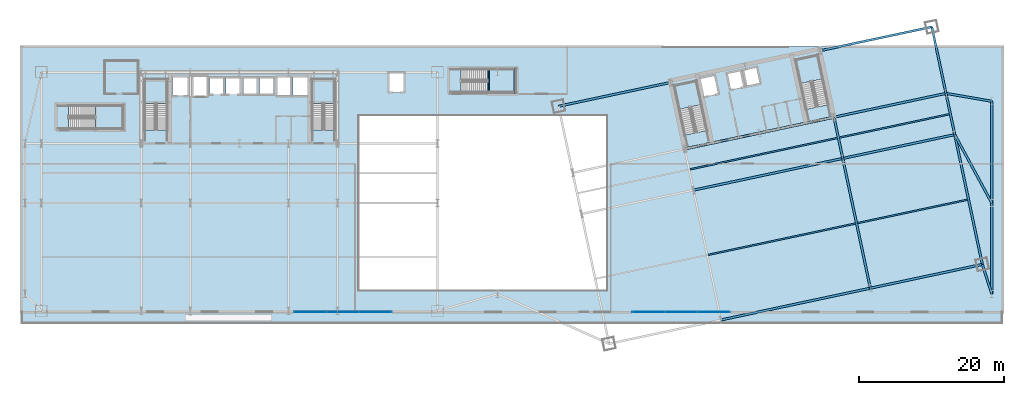
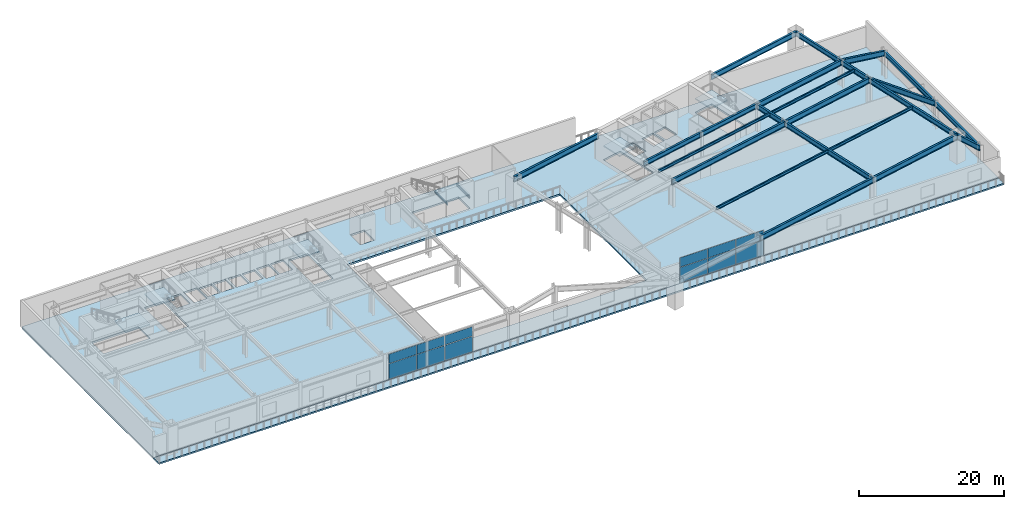
# One storey, part 11 of 28: 25 beams, 12 plates, 8 slabs, 8 elements without a shape of their own.
"""IFC4 building model written with IfcOpenShell, lengths in metres."""

from ifc_helpers import new_model, si_unit, direction, frame, origin, origin_2d, place, context, subcontext, project, spatial, polyline, rectangle, i_section, outline, extrude, material, layer, layer_set, material_profile, profile_set, type_object, element, aggregate, save


model = new_model("IFC4")

# Units and contexts
model_context = context("Model", 3, precision=1e-05, world=origin(), true_north=direction((0.0, 1.0)))
body_context = subcontext(model_context, "Body", "Model", "MODEL_VIEW")
ifc_project = project(units=[si_unit("LENGTHUNIT", "METRE"), si_unit("AREAUNIT", "SQUARE_METRE"), si_unit("VOLUMEUNIT", "CUBIC_METRE"), si_unit("PLANEANGLEUNIT", "RADIAN"), si_unit("MASSUNIT", "GRAM", prefix="KILO")], contexts=[model_context])

# Site, building, storey
site_placement = place(None, origin())
site = spatial("IfcSite", under=ifc_project, at=site_placement, CompositionType="ELEMENT")
building_placement = place(site_placement, origin())
building = spatial("IfcBuilding", under=site, at=building_placement, Name="Haevon Station Towers", CompositionType="ELEMENT")
storey_placement = place(building_placement, frame((0.0, 0.0, 10.800048828125)))
storey = spatial("IfcBuildingStorey", under=building, at=storey_placement, Name="L02", CompositionType="ELEMENT", Elevation=10.800048828125)

# Beams
ifc_material_1 = material(Name="Steel S355", Category="steel")
ifc_material_profile_1 = material_profile(ifc_material_1, i_section(OverallWidth=0.199951171875, OverallDepth=0.449951171875, WebThickness=0.009033203125, FlangeThickness=0.013916015625, at=origin_2d()), Name="H-450x200x9x14")
ifc_profile_set_1 = profile_set([ifc_material_profile_1], Name="Steel S355")
beam_type_1 = type_object("IfcBeamType", Name="BM-J450", PredefinedType="JOIST", material=ifc_profile_set_1)
beam_1_placement = place(storey_placement, frame((101.963134765625, 22.866455078125, 4.27490234375), z_axis=(0.97814804034, 0.207909622623, 0.0), x_axis=(-0.207909622623, 0.97814804034, 0.0)))
element("IfcBeam", 1, at=beam_1_placement, inside=storey, type_object=beam_type_1, Name="BM-T2J-L02-01-02", PredefinedType="JOIST", context=body_context, shape_type="SweptSolid", body=[
    extrude(i_section(OverallWidth=0.199951171875, OverallDepth=0.449951171875, WebThickness=0.009033203125, FlangeThickness=0.013916015625, at=origin_2d()), origin(), (0.0, 0.0, 1.0), 20.77978515625),
])
beam_2_placement = place(storey_placement, frame((122.504150390625, 27.232666015625, 4.27490234375), z_axis=(0.978149141128, 0.207904443699, 0.0), x_axis=(-0.207904443699, 0.978149141128, 0.0)))
element("IfcBeam", 2, at=beam_2_placement, inside=storey, type_object=beam_type_1, Name="BM-T2J-L02-01-03", PredefinedType="JOIST", context=body_context, shape_type="SweptSolid", body=[
    extrude(i_section(OverallWidth=0.199951171875, OverallDepth=0.449951171875, WebThickness=0.009033203125, FlangeThickness=0.013916015625, at=origin_2d()), origin(), (0.0, 0.0, 1.0), 15.530029296875),
])
beam_3_placement = place(storey_placement, frame((99.462890625, 34.628662109375, 4.27490234375), z_axis=(0.978148548197, 0.207907233306, 0.0), x_axis=(-0.207907233306, 0.978148548197, 0.0)))
element("IfcBeam", 3, at=beam_3_placement, inside=storey, type_object=beam_type_1, Name="BM-T2J-L02-02-02", PredefinedType="JOIST", context=body_context, shape_type="SweptSolid", body=[
    extrude(i_section(OverallWidth=0.199951171875, OverallDepth=0.449951171875, WebThickness=0.009033203125, FlangeThickness=0.013916015625, at=origin_2d()), origin(), (0.0, 0.0, 1.0), 20.780029296875),
])
beam_4_placement = place(storey_placement, frame((120.00390625, 38.994873046875, 4.27490234375), z_axis=(0.978149141128, 0.207904443699, 0.0), x_axis=(-0.207904443699, 0.978149141128, 0.0)))
element("IfcBeam", 4, at=beam_4_placement, inside=storey, type_object=beam_type_1, Name="BM-T2J-L02-02-03", PredefinedType="JOIST", context=body_context, shape_type="SweptSolid", body=[
    extrude(i_section(OverallWidth=0.199951171875, OverallDepth=0.449951171875, WebThickness=0.009033203125, FlangeThickness=0.013916015625, at=origin_2d()), origin(), (0.0, 0.0, 1.0), 15.530029296875),
])
ifc_material_profile_2 = material_profile(ifc_material_1, i_section(OverallWidth=0.14990234375, OverallDepth=0.300048828125, WebThickness=0.006591796875, FlangeThickness=0.009033203125, at=origin_2d()), Name="H-300x150x6.5x9")
ifc_profile_set_2 = profile_set([ifc_material_profile_2], Name="Steel S355")
beam_type_2 = type_object("IfcBeamType", Name="BM-LIN300", PredefinedType="LINTEL", material=ifc_profile_set_2)
for number, where, z_axis, x_axis, name in (
    (5, (71.81396484375, 45.0, 2.050048828125), (0.0, 1.0, 0.0), (-1.0, 0.0, 0.0), "BM-ST6L-L02-1-W"),
    (6, (75.320068359375, 45.0, 2.050048828125), (0.0, 1.0, 0.0), (-1.0, 0.0, 0.0), "BM-ST6L-L02-1-E"),
):
    element("IfcBeam", number, at=place(storey_placement, frame(where, z_axis=z_axis, x_axis=x_axis)), inside=storey, type_object=beam_type_2, Name=name, PredefinedType="LINTEL", context=body_context, shape_type="SweptSolid", body=[
        extrude(i_section(OverallWidth=0.14990234375, OverallDepth=0.300048828125, WebThickness=0.006591796875, FlangeThickness=0.009033203125, at=origin_2d()), origin(), (0.0, 0.0, 1.0), 3.60009765625),
    ])
ifc_material_profile_3 = material_profile(ifc_material_1, i_section(OverallWidth=0.300048828125, OverallDepth=0.800048828125, WebThickness=0.013916015625, FlangeThickness=0.02587890625, at=origin_2d()), Name="H-800x300x14x26")
ifc_profile_set_3 = profile_set([ifc_material_profile_3], Name="Steel S355")
beam_type_3 = type_object("IfcBeamType", Name="BM-PG800", PredefinedType="BEAM", material=ifc_profile_set_3)
for number, where, z_axis, x_axis, name in (
    (7, (98.75244140625, 37.4423828125, 4.099853515625), (0.978146794194, 0.207915485254, 0.0), (-0.207915485254, 0.978146794194, 0.0), "BM-T2U-L02-03-02"),
    (8, (109.02294921875, 39.62548828125, 4.099853515625), (0.978146794194, 0.207915485254, 0.0), (-0.207915485254, 0.978146794194, 0.0), "BM-T2U-L02-03-03"),
):
    element("IfcBeam", number, at=place(storey_placement, frame(where, z_axis=z_axis, x_axis=x_axis)), inside=storey, type_object=beam_type_3, Name=name, PredefinedType="BEAM", context=body_context, shape_type="SweptSolid", body=[
        extrude(i_section(OverallWidth=0.300048828125, OverallDepth=0.800048828125, WebThickness=0.013916015625, FlangeThickness=0.02587890625, at=origin_2d()), origin(), (0.0, 0.0, 1.0), 10.5),
    ])
beam_5_placement = place(storey_placement, frame((124.293701171875, 18.2841796875, 4.099853515625), z_axis=(-0.207915393978, 0.978146813595, 0.0), x_axis=(-0.978146813595, -0.207915393978, 0.0)))
element("IfcBeam", 9, at=beam_5_placement, inside=storey, type_object=beam_type_3, Name="BM-T2V-L02-04-01", PredefinedType="BEAM", context=body_context, shape_type="SweptSolid", body=[
    extrude(i_section(OverallWidth=0.300048828125, OverallDepth=0.800048828125, WebThickness=0.013916015625, FlangeThickness=0.02587890625, at=origin_2d()), origin(), (0.0, 0.0, 1.0), 18.25),
])
beam_6_placement = place(storey_placement, frame((120.499267578125, 36.13525390625, 4.099853515625), z_axis=(-0.207896009217, 0.97815093383, 0.0), x_axis=(-0.97815093383, -0.207896009217, 0.0)))
element("IfcBeam", 10, at=beam_6_placement, inside=storey, type_object=beam_type_3, Name="BM-T2V-L02-04-02", PredefinedType="BEAM", context=body_context, shape_type="SweptSolid", body=[
    extrude(i_section(OverallWidth=0.300048828125, OverallDepth=0.800048828125, WebThickness=0.013916015625, FlangeThickness=0.02587890625, at=origin_2d()), origin(), (0.0, 0.0, 1.0), 5.800048828125),
])
beam_7_placement = place(storey_placement, frame((139.699462890625, 21.558837890625, 4.099853515625), z_axis=(-0.207902594577, 0.978149534155, 0.0), x_axis=(-0.978149534155, -0.207902594577, 0.0)))
element("IfcBeam", 11, at=beam_7_placement, inside=storey, type_object=beam_type_3, Name="BM-T2V-L02-05-01", PredefinedType="BEAM", context=body_context, shape_type="SweptSolid", body=[
    extrude(i_section(OverallWidth=0.300048828125, OverallDepth=0.800048828125, WebThickness=0.013916015625, FlangeThickness=0.02587890625, at=origin_2d()), origin(), (0.0, 0.0, 1.0), 18.249755859375),
])
beam_8_placement = place(storey_placement, frame((135.9052734375, 39.409912109375, 4.099853515625), z_axis=(-0.207936282142, 0.978142373363, 0.0), x_axis=(-0.978142373363, -0.207936282142, 0.0)))
element("IfcBeam", 12, at=beam_8_placement, inside=storey, type_object=beam_type_3, Name="BM-T2V-L02-05-02", PredefinedType="BEAM", context=body_context, shape_type="SweptSolid", body=[
    extrude(i_section(OverallWidth=0.300048828125, OverallDepth=0.800048828125, WebThickness=0.013916015625, FlangeThickness=0.02587890625, at=origin_2d()), origin(), (0.0, 0.0, 1.0), 5.800048828125),
])
beam_9_placement = place(storey_placement, frame((134.69921875, 45.083251953125, 4.099853515625), z_axis=(-0.207902477038, 0.978149559138, 0.0), x_axis=(-0.978149559138, -0.207902477038, 0.0)))
element("IfcBeam", 13, at=beam_9_placement, inside=storey, type_object=beam_type_3, Name="BM-T2V-L02-05-03", PredefinedType="BEAM", context=body_context, shape_type="SweptSolid", body=[
    extrude(i_section(OverallWidth=0.300048828125, OverallDepth=0.800048828125, WebThickness=0.013916015625, FlangeThickness=0.02587890625, at=origin_2d()), origin(), (0.0, 0.0, 1.0), 9.349853515625),
])
beam_10_placement = place(storey_placement, frame((141.0, 17.5, 4.099853515625), z_axis=(0.0, 1.0, 0.0), x_axis=(-1.0, 0.0, 0.0)))
element("IfcBeam", 14, at=beam_10_placement, inside=storey, type_object=beam_type_3, Name="BM-PODNS-L02-E1", PredefinedType="BEAM", context=body_context, shape_type="SweptSolid", body=[
    extrude(i_section(OverallWidth=0.300048828125, OverallDepth=0.800048828125, WebThickness=0.013916015625, FlangeThickness=0.02587890625, at=origin_2d()), origin(), (0.0, 0.0, 1.0), 12.5),
])
beam_11_placement = place(storey_placement, frame((141.0, 30.0, 4.099853515625), z_axis=(0.0, 1.0, 0.0), x_axis=(-1.0, 0.0, 0.0)))
element("IfcBeam", 15, at=beam_11_placement, inside=storey, type_object=beam_type_3, Name="BM-PODNS-L02-E2", PredefinedType="BEAM", context=body_context, shape_type="SweptSolid", body=[
    extrude(i_section(OverallWidth=0.300048828125, OverallDepth=0.800048828125, WebThickness=0.013916015625, FlangeThickness=0.02587890625, at=origin_2d()), origin(), (0.0, 0.0, 1.0), 14.0),
])
ifc_material_profile_4 = material_profile(ifc_material_1, i_section(OverallWidth=0.300048828125, OverallDepth=0.89990234375, WebThickness=0.01611328125, FlangeThickness=0.028076171875, at=origin_2d()), Name="H-900x300x16x28")
ifc_profile_set_4 = profile_set([ifc_material_profile_4], Name="Steel S355")
beam_type_4 = type_object("IfcBeamType", Name="BM-PG900", PredefinedType="BEAM", material=ifc_profile_set_4)
beam_12_placement = place(storey_placement, frame((103.752685546875, 13.91796875, 4.050048828125), z_axis=(0.978146794194, 0.207915485254, 0.0), x_axis=(-0.207915485254, 0.978146794194, 0.0)))
element("IfcBeam", 16, at=beam_12_placement, inside=storey, type_object=beam_type_4, Name="BM-T2U-L02-01-02", PredefinedType="BEAM", context=body_context, shape_type="SweptSolid", body=[
    extrude(i_section(OverallWidth=0.300048828125, OverallDepth=0.89990234375, WebThickness=0.01611328125, FlangeThickness=0.028076171875, at=origin_2d()), origin(), (0.0, 0.0, 1.0), 21.0),
])
beam_13_placement = place(storey_placement, frame((124.293701171875, 18.2841796875, 4.050048828125), z_axis=(0.978146794194, 0.207915485254, 0.0), x_axis=(-0.207915485254, 0.978146794194, 0.0)))
element("IfcBeam", 17, at=beam_13_placement, inside=storey, type_object=beam_type_4, Name="BM-T2U-L02-01-04", PredefinedType="BEAM", context=body_context, shape_type="SweptSolid", body=[
    extrude(i_section(OverallWidth=0.300048828125, OverallDepth=0.89990234375, WebThickness=0.01611328125, FlangeThickness=0.028076171875, at=origin_2d()), origin(), (0.0, 0.0, 1.0), 15.75),
])
beam_14_placement = place(storey_placement, frame((99.958251953125, 31.76904296875, 4.050048828125), z_axis=(0.978146794194, 0.207915485254, 0.0), x_axis=(-0.207915485254, 0.978146794194, 0.0)))
element("IfcBeam", 18, at=beam_14_placement, inside=storey, type_object=beam_type_4, Name="BM-T2U-L02-02-02", PredefinedType="BEAM", context=body_context, shape_type="SweptSolid", body=[
    extrude(i_section(OverallWidth=0.300048828125, OverallDepth=0.89990234375, WebThickness=0.01611328125, FlangeThickness=0.028076171875, at=origin_2d()), origin(), (0.0, 0.0, 1.0), 21.0),
])
beam_15_placement = place(storey_placement, frame((120.499267578125, 36.13525390625, 4.050048828125), z_axis=(0.978147464271, 0.207912332825, 0.0), x_axis=(-0.207912332825, 0.978147464271, 0.0)))
element("IfcBeam", 19, at=beam_15_placement, inside=storey, type_object=beam_type_4, Name="BM-T2U-L02-02-04", PredefinedType="BEAM", context=body_context, shape_type="SweptSolid", body=[
    extrude(i_section(OverallWidth=0.300048828125, OverallDepth=0.89990234375, WebThickness=0.01611328125, FlangeThickness=0.028076171875, at=origin_2d()), origin(), (0.0, 0.0, 1.0), 15.750244140625),
])
for number, where, z_axis, x_axis, name in (
    (20, (119.29345703125, 41.80859375, 4.050048828125), (0.978146794194, 0.207915485254, 0.0), (-0.207915485254, 0.978146794194, 0.0), "BM-T2U-L02-03-04"),
    (21, (81.402587890625, 43.3134765625, 4.050048828125), (0.978146794194, 0.207915485254, 0.0), (-0.207915485254, 0.978146794194, 0.0), "BM-T2U-L02-04-01"),
):
    element("IfcBeam", number, at=place(storey_placement, frame(where, z_axis=z_axis, x_axis=x_axis)), inside=storey, type_object=beam_type_4, Name=name, PredefinedType="BEAM", context=body_context, shape_type="SweptSolid", body=[
        extrude(i_section(OverallWidth=0.300048828125, OverallDepth=0.89990234375, WebThickness=0.01611328125, FlangeThickness=0.028076171875, at=origin_2d()), origin(), (0.0, 0.0, 1.0), 15.75),
    ])
beam_16_placement = place(storey_placement, frame((117.349365234375, 50.954345703125, 4.050048828125), z_axis=(0.978150616551, 0.207897502008, 0.0), x_axis=(-0.207897502008, 0.978150616551, 0.0)))
element("IfcBeam", 22, at=beam_16_placement, inside=storey, type_object=beam_type_4, Name="BM-T2U-L02-04-04", PredefinedType="BEAM", context=body_context, shape_type="SweptSolid", body=[
    extrude(i_section(OverallWidth=0.300048828125, OverallDepth=0.89990234375, WebThickness=0.01611328125, FlangeThickness=0.028076171875, at=origin_2d()), origin(), (0.0, 0.0, 1.0), 15.750244140625),
])
beam_17_placement = place(storey_placement, frame((139.699462890625, 21.558837890625, 4.050048828125), z_axis=(0.305139430983, -0.952307685393, 0.0), x_axis=(0.952307685393, 0.305139430983, 0.0)))
element("IfcBeam", 23, at=beam_17_placement, inside=storey, type_object=beam_type_4, Name="BM-PODE-L02-1", PredefinedType="BEAM", context=body_context, shape_type="SweptSolid", body=[
    extrude(i_section(OverallWidth=0.300048828125, OverallDepth=0.89990234375, WebThickness=0.01611328125, FlangeThickness=0.028076171875, at=origin_2d()), origin(), (0.0, 0.0, 1.0), 4.26220703125),
])
beam_18_placement = place(storey_placement, frame((135.9052734375, 39.409912109375, 4.050048828125), z_axis=(0.476116295025, -0.879382325051, 0.0), x_axis=(0.879382325051, 0.476116295025, 0.0)))
element("IfcBeam", 24, at=beam_18_placement, inside=storey, type_object=beam_type_4, Name="BM-PODE-L02-2", PredefinedType="BEAM", context=body_context, shape_type="SweptSolid", body=[
    extrude(i_section(OverallWidth=0.300048828125, OverallDepth=0.89990234375, WebThickness=0.01611328125, FlangeThickness=0.028076171875, at=origin_2d()), origin(), (0.0, 0.0, 1.0), 10.70068359375),
])
beam_19_placement = place(storey_placement, frame((134.69921875, 45.083251953125, 4.050048828125), z_axis=(0.985540920751, -0.169437580028, 0.0), x_axis=(0.169437580028, 0.985540920751, 0.0)))
element("IfcBeam", 25, at=beam_19_placement, inside=storey, type_object=beam_type_4, Name="BM-PODE-L02-3", PredefinedType="BEAM", context=body_context, shape_type="SweptSolid", body=[
    extrude(i_section(OverallWidth=0.300048828125, OverallDepth=0.89990234375, WebThickness=0.01611328125, FlangeThickness=0.028076171875, at=origin_2d()), origin(), (0.0, 0.0, 1.0), 6.393310546875),
])

# Curtain wall, plates
ifc_material_2 = material(Name="Anodised aluminium and Low-E double glazing", Category="aluminium")
ifc_layer_1 = layer(ifc_material_2, 0.179931640625)
ifc_layer_set_1 = layer_set([ifc_layer_1], Name="Anodised aluminium and Low-E double glazing")
curtain_wall_type = type_object("IfcCurtainWallType", Name="CW-SYS1", PredefinedType="NOTDEFINED", material=ifc_layer_set_1)
curtain_wall_1_placement = place(storey_placement, origin())
curtain_wall_1 = element("IfcCurtainWall", 26, at=curtain_wall_1_placement, inside=storey, type_object=curtain_wall_type, Name="L02 Curtain Wall CW-POD-L02-S1", PredefinedType="NOTDEFINED")
ifc_material_3 = material(Name="Low-E double glazing", Category="glass")
ifc_layer_2 = layer(ifc_material_3, 0.028076171875)
ifc_layer_set_2 = layer_set([ifc_layer_2], Name="Low-E double glazing")
plate_type = type_object("IfcPlateType", Name="CWP-GLZ28", PredefinedType="CURTAIN_PANEL", material=ifc_layer_set_2)
plate_1_placement = place(storey_placement, frame((102.733642578125, 15.0, 0.06494140625), z_axis=(0.0, 0.0, 1.0), x_axis=(-1.0, 0.0, 0.0)))
plate_1 = element("IfcPlate", 27, at=plate_1_placement, type_object=plate_type, Name="CW-SYS1 panel 1.1", PredefinedType="CURTAIN_PANEL", context=body_context, shape_type="SweptSolid", body=[
    extrude(rectangle(XDim=4.402587890625, YDim=0.028076171875, at=origin_2d()), origin(), (0.0, 0.0, 1.0), 2.630615234375),
])
plate_2_placement = place(storey_placement, frame((102.733642578125, 15.0, 2.76025390625), z_axis=(0.0, 0.0, 1.0), x_axis=(-1.0, 0.0, 0.0)))
plate_2 = element("IfcPlate", 28, at=plate_2_placement, type_object=plate_type, Name="CW-SYS1 panel 1.2", PredefinedType="CURTAIN_PANEL", context=body_context, shape_type="SweptSolid", body=[
    extrude(rectangle(XDim=4.402587890625, YDim=0.028076171875, at=origin_2d()), origin(), (0.0, 0.0, 1.0), 1.574462890625),
])
plate_3_placement = place(storey_placement, frame((98.25, 15.0, 0.06494140625), z_axis=(0.0, 0.0, 1.0), x_axis=(-1.0, 0.0, 0.0)))
plate_3 = element("IfcPlate", 29, at=plate_3_placement, type_object=plate_type, Name="CW-SYS1 panel 2.1", PredefinedType="CURTAIN_PANEL", context=body_context, shape_type="SweptSolid", body=[
    extrude(rectangle(XDim=4.43505859375, YDim=0.028076171875, at=origin_2d()), origin(), (0.0, 0.0, 1.0), 2.630615234375),
])
plate_4_placement = place(storey_placement, frame((98.25, 15.0, 2.76025390625), z_axis=(0.0, 0.0, 1.0), x_axis=(-1.0, 0.0, 0.0)))
plate_4 = element("IfcPlate", 30, at=plate_4_placement, type_object=plate_type, Name="CW-SYS1 panel 2.2", PredefinedType="CURTAIN_PANEL", context=body_context, shape_type="SweptSolid", body=[
    extrude(rectangle(XDim=4.43505859375, YDim=0.028076171875, at=origin_2d()), origin(), (0.0, 0.0, 1.0), 1.574462890625),
])
plate_5_placement = place(storey_placement, frame((93.766357421875, 15.0, 0.06494140625), z_axis=(0.0, 0.0, 1.0), x_axis=(-1.0, 0.0, 0.0)))
plate_5 = element("IfcPlate", 31, at=plate_5_placement, type_object=plate_type, Name="CW-SYS1 panel 3.1", PredefinedType="CURTAIN_PANEL", context=body_context, shape_type="SweptSolid", body=[
    extrude(rectangle(XDim=4.402587890625, YDim=0.028076171875, at=origin_2d()), origin(), (0.0, 0.0, 1.0), 2.630615234375),
])
plate_6_placement = place(storey_placement, frame((93.766357421875, 15.0, 2.76025390625), z_axis=(0.0, 0.0, 1.0), x_axis=(-1.0, 0.0, 0.0)))
plate_6 = element("IfcPlate", 32, at=plate_6_placement, type_object=plate_type, Name="CW-SYS1 panel 3.2", PredefinedType="CURTAIN_PANEL", context=body_context, shape_type="SweptSolid", body=[
    extrude(rectangle(XDim=4.402587890625, YDim=0.028076171875, at=origin_2d()), origin(), (0.0, 0.0, 1.0), 1.574462890625),
])
aggregate(curtain_wall_1, [plate_1, plate_2, plate_3, plate_4, plate_5, plate_6])

curtain_wall_2_placement = place(storey_placement, origin())
curtain_wall_2 = element("IfcCurtainWall", 33, at=curtain_wall_2_placement, inside=storey, type_object=curtain_wall_type, Name="L02 Curtain Wall CW-POD-L02-S2", PredefinedType="NOTDEFINED")
plate_7_placement = place(storey_placement, frame((56.233642578125, 15.0, 0.06494140625), z_axis=(0.0, 0.0, 1.0), x_axis=(-1.0, 0.0, 0.0)))
plate_7 = element("IfcPlate", 34, at=plate_7_placement, type_object=plate_type, Name="CW-SYS1 panel 1.1", PredefinedType="CURTAIN_PANEL", context=body_context, shape_type="SweptSolid", body=[
    extrude(rectangle(XDim=4.402587890625, YDim=0.028076171875, at=origin_2d()), origin(), (0.0, 0.0, 1.0), 2.630615234375),
])
plate_8_placement = place(storey_placement, frame((56.233642578125, 15.0, 2.76025390625), z_axis=(0.0, 0.0, 1.0), x_axis=(-1.0, 0.0, 0.0)))
plate_8 = element("IfcPlate", 35, at=plate_8_placement, type_object=plate_type, Name="CW-SYS1 panel 1.2", PredefinedType="CURTAIN_PANEL", context=body_context, shape_type="SweptSolid", body=[
    extrude(rectangle(XDim=4.402587890625, YDim=0.028076171875, at=origin_2d()), origin(), (0.0, 0.0, 1.0), 1.574462890625),
])
plate_9_placement = place(storey_placement, frame((51.75, 15.0, 0.06494140625), z_axis=(0.0, 0.0, 1.0), x_axis=(-1.0, 0.0, 0.0)))
plate_9 = element("IfcPlate", 36, at=plate_9_placement, type_object=plate_type, Name="CW-SYS1 panel 2.1", PredefinedType="CURTAIN_PANEL", context=body_context, shape_type="SweptSolid", body=[
    extrude(rectangle(XDim=4.43505859375, YDim=0.028076171875, at=origin_2d()), origin(), (0.0, 0.0, 1.0), 2.630615234375),
])
plate_10_placement = place(storey_placement, frame((51.75, 15.0, 2.76025390625), z_axis=(0.0, 0.0, 1.0), x_axis=(-1.0, 0.0, 0.0)))
plate_10 = element("IfcPlate", 37, at=plate_10_placement, type_object=plate_type, Name="CW-SYS1 panel 2.2", PredefinedType="CURTAIN_PANEL", context=body_context, shape_type="SweptSolid", body=[
    extrude(rectangle(XDim=4.43505859375, YDim=0.028076171875, at=origin_2d()), origin(), (0.0, 0.0, 1.0), 1.574462890625),
])
plate_11_placement = place(storey_placement, frame((47.266357421875, 15.0, 0.06494140625), z_axis=(0.0, 0.0, 1.0), x_axis=(-1.0, 0.0, 0.0)))
plate_11 = element("IfcPlate", 38, at=plate_11_placement, type_object=plate_type, Name="CW-SYS1 panel 3.1", PredefinedType="CURTAIN_PANEL", context=body_context, shape_type="SweptSolid", body=[
    extrude(rectangle(XDim=4.402587890625, YDim=0.028076171875, at=origin_2d()), origin(), (0.0, 0.0, 1.0), 2.630615234375),
])
plate_12_placement = place(storey_placement, frame((47.266357421875, 15.0, 2.76025390625), z_axis=(0.0, 0.0, 1.0), x_axis=(-1.0, 0.0, 0.0)))
plate_12 = element("IfcPlate", 39, at=plate_12_placement, type_object=plate_type, Name="CW-SYS1 panel 3.2", PredefinedType="CURTAIN_PANEL", context=body_context, shape_type="SweptSolid", body=[
    extrude(rectangle(XDim=4.402587890625, YDim=0.028076171875, at=origin_2d()), origin(), (0.0, 0.0, 1.0), 1.574462890625),
])
aggregate(curtain_wall_2, [plate_7, plate_8, plate_9, plate_10, plate_11, plate_12])

# Stair, slab
ifc_material_4 = material(Name="Concrete C40/50", Category="concrete")
stair_type_1 = type_object("IfcStairType", Name="STR-DL1450", PredefinedType="USERDEFINED", material=ifc_material_4)
stair_1_placement = place(storey_placement, origin())
stair_1 = element("IfcStair", 40, at=stair_1_placement, inside=storey, type_object=stair_type_1, Name="L02 Escape Stair ST1", ObjectType="TWO_RETURN_STAIR", PredefinedType="USERDEFINED")
ifc_layer_3 = layer(ifc_material_4, 0.199951171875)
ifc_layer_set_3 = layer_set([ifc_layer_3], Name="Concrete C40/50")
slab_type_1 = type_object("IfcSlabType", Name="SL-LND200", PredefinedType="LANDING", material=ifc_layer_set_3)
slab_1_placement = place(storey_placement, frame((0.0, 0.0, 2.199951171875)))
slab_1 = element("IfcSlab", 41, at=slab_1_placement, type_object=slab_type_1, Name="L02 ST1 Half Landing 1", PredefinedType="LANDING", context=body_context, shape_type="SweptSolid", body=[
    extrude(outline(polyline([(27.580078125, 43.68408203125), (27.580078125, 47.0), (24.47998046875, 47.0), (24.47998046875, 43.68408203125), (27.580078125, 43.68408203125)])), origin(), (0.0, 0.0, 1.0), 0.199951171875),
])
aggregate(stair_1, [slab_1])

stair_2_placement = place(storey_placement, origin())
stair_2 = element("IfcStair", 42, at=stair_2_placement, inside=storey, type_object=stair_type_1, Name="L02 Escape Stair ST2", ObjectType="TWO_RETURN_STAIR", PredefinedType="USERDEFINED")
slab_2_placement = place(storey_placement, frame((0.0, 0.0, 2.199951171875)))
slab_2 = element("IfcSlab", 43, at=slab_2_placement, type_object=slab_type_1, Name="L02 ST2 Half Landing 1", PredefinedType="LANDING", context=body_context, shape_type="SweptSolid", body=[
    extrude(outline(polyline([(50.6201171875, 43.68408203125), (50.6201171875, 47.0), (47.52001953125, 47.0), (47.52001953125, 43.68408203125), (50.6201171875, 43.68408203125)])), origin(), (0.0, 0.0, 1.0), 0.199951171875),
])
aggregate(stair_2, [slab_2])

stair_3_placement = place(storey_placement, origin())
stair_3 = element("IfcStair", 44, at=stair_3_placement, inside=storey, type_object=stair_type_1, Name="L02 Escape Stair ST3", ObjectType="TWO_RETURN_STAIR", PredefinedType="USERDEFINED")
slab_3_placement = place(storey_placement, frame((0.0, 0.0, 2.199951171875)))
slab_3 = element("IfcSlab", 45, at=slab_3_placement, type_object=slab_type_1, Name="L02 ST3 Half Landing 1", PredefinedType="LANDING", context=body_context, shape_type="SweptSolid", body=[
    extrude(outline(polyline([(101.05517578125, 43.538330078125), (100.36572265625, 46.781982421875), (97.33349609375, 46.137451171875), (98.02294921875, 42.893798828125), (101.05517578125, 43.538330078125)])), origin(), (0.0, 0.0, 1.0), 0.199951171875),
])
aggregate(stair_3, [slab_3])

stair_4_placement = place(storey_placement, origin())
stair_4 = element("IfcStair", 46, at=stair_4_placement, inside=storey, type_object=stair_type_1, Name="L02 Escape Stair ST4", ObjectType="TWO_RETURN_STAIR", PredefinedType="USERDEFINED")
slab_4_placement = place(storey_placement, frame((0.0, 0.0, 2.199951171875)))
slab_4 = element("IfcSlab", 47, at=slab_4_placement, type_object=slab_type_1, Name="L02 ST4 Half Landing 1", PredefinedType="LANDING", context=body_context, shape_type="SweptSolid", body=[
    extrude(outline(polyline([(117.742431640625, 47.08544921875), (117.052978515625, 50.328857421875), (114.020751953125, 49.684326171875), (114.710205078125, 46.44091796875), (117.742431640625, 47.08544921875)])), origin(), (0.0, 0.0, 1.0), 0.199951171875),
])
aggregate(stair_4, [slab_4])

stair_type_2 = type_object("IfcStairType", Name="STR-DL1500", PredefinedType="USERDEFINED", material=ifc_material_4)
stair_5_placement = place(storey_placement, origin())
stair_5 = element("IfcStair", 48, at=stair_5_placement, inside=storey, type_object=stair_type_2, Name="L02 Escape Stair ST5", ObjectType="TWO_RETURN_STAIR", PredefinedType="USERDEFINED")
slab_5_placement = place(storey_placement, frame((0.0, 0.0, 2.199951171875)))
slab_5 = element("IfcSlab", 49, at=slab_5_placement, type_object=slab_type_1, Name="L02 ST5 Half Landing 1", PredefinedType="LANDING", context=body_context, shape_type="SweptSolid", body=[
    extrude(outline(polyline([(17.634033203125, 40.199951171875), (21.5, 40.199951171875), (21.5, 43.39990234375), (17.634033203125, 43.39990234375), (17.634033203125, 40.199951171875)])), origin(), (0.0, 0.0, 1.0), 0.199951171875),
])
aggregate(stair_5, [slab_5])

stair_6_placement = place(storey_placement, origin())
stair_6 = element("IfcStair", 50, at=stair_6_placement, inside=storey, type_object=stair_type_2, Name="L02 Escape Stair ST6", ObjectType="TWO_RETURN_STAIR", PredefinedType="USERDEFINED")
slab_6_placement = place(storey_placement, frame((0.0, 0.0, 2.199951171875)))
slab_6 = element("IfcSlab", 51, at=slab_6_placement, type_object=slab_type_1, Name="L02 ST6 Half Landing 1", PredefinedType="LANDING", context=body_context, shape_type="SweptSolid", body=[
    extrude(outline(polyline([(71.634033203125, 45.199951171875), (75.5, 45.199951171875), (75.5, 48.39990234375), (71.634033203125, 48.39990234375), (71.634033203125, 45.199951171875)])), origin(), (0.0, 0.0, 1.0), 0.199951171875),
])
aggregate(stair_6, [slab_6])

# Slabs
ifc_layer_4 = layer(ifc_material_4, 0.300048828125)
ifc_layer_set_4 = layer_set([ifc_layer_4], Name="Concrete C40/50")
slab_type_2 = type_object("IfcSlabType", Name="SL-POD300", PredefinedType="FLOOR", material=ifc_layer_set_4)
slab_7_placement = place(storey_placement, frame((0.0, 0.0, -0.300048828125)))
element("IfcSlab", 52, at=slab_7_placement, inside=storey, type_object=slab_type_2, Name="SL-POD-L02", PredefinedType="FLOOR", context=body_context, shape_type="SweptSolid", body=[
    extrude(outline(polyline([(7.5, 15.0), (142.5, 15.0), (142.5, 51.5), (7.5, 51.5), (7.5, 15.0)]), holes=[polyline([(54.0, 18.0), (88.0, 18.0), (88.0, 42.0), (54.0, 42.0), (54.0, 18.0)]), polyline([(27.580078125, 40.055908203125), (27.580078125, 47.0), (24.47998046875, 47.0), (24.47998046875, 40.055908203125), (27.580078125, 40.055908203125)]), polyline([(50.6201171875, 40.055908203125), (50.6201171875, 47.0), (47.52001953125, 47.0), (47.52001953125, 40.055908203125), (50.6201171875, 40.055908203125)]), polyline([(101.8095703125, 39.98974609375), (100.36572265625, 46.781982421875), (97.33349609375, 46.137451171875), (98.77734375, 39.34521484375), (101.8095703125, 39.98974609375)]), polyline([(118.496826171875, 43.53662109375), (117.052978515625, 50.328857421875), (114.020751953125, 49.684326171875), (115.464599609375, 42.89208984375), (118.496826171875, 43.53662109375)]), polyline([(14.006103515625, 40.199951171875), (21.5, 40.199951171875), (21.5, 43.39990234375), (14.006103515625, 43.39990234375), (14.006103515625, 40.199951171875)]), polyline([(68.006103515625, 45.199951171875), (75.5, 45.199951171875), (75.5, 48.39990234375), (68.006103515625, 48.39990234375), (68.006103515625, 45.199951171875)]), polyline([(28.300048828125, 44.699951171875), (30.5, 44.699951171875), (30.5, 47.39990234375), (28.300048828125, 47.39990234375), (28.300048828125, 44.699951171875)]), polyline([(101.43212890625, 44.554931640625), (103.486328125, 44.99169921875), (102.9248046875, 47.632568359375), (100.870849609375, 47.196044921875), (101.43212890625, 44.554931640625)]), polyline([(31.050048828125, 44.60009765625), (33.14990234375, 44.60009765625), (33.14990234375, 47.5), (31.050048828125, 47.5), (31.050048828125, 44.60009765625)]), polyline([(33.39990234375, 44.89990234375), (35.39990234375, 44.89990234375), (35.39990234375, 47.300048828125), (33.39990234375, 47.300048828125), (33.39990234375, 44.89990234375)]), polyline([(35.64990234375, 44.89990234375), (37.64990234375, 44.89990234375), (37.64990234375, 47.300048828125), (35.64990234375, 47.300048828125), (35.64990234375, 44.89990234375)]), polyline([(38.0, 44.89990234375), (40.0, 44.89990234375), (40.0, 47.300048828125), (38.0, 47.300048828125), (38.0, 44.89990234375)]), polyline([(40.25, 44.89990234375), (42.25, 44.89990234375), (42.25, 47.300048828125), (40.25, 47.300048828125), (40.25, 44.89990234375)]), polyline([(42.60009765625, 44.699951171875), (44.60009765625, 44.699951171875), (44.60009765625, 47.39990234375), (42.60009765625, 47.39990234375), (42.60009765625, 44.699951171875)]), polyline([(44.85009765625, 44.699951171875), (46.85009765625, 44.699951171875), (46.85009765625, 47.39990234375), (44.85009765625, 47.39990234375), (44.85009765625, 44.699951171875)]), polyline([(105.009765625, 45.519775390625), (106.966064453125, 45.935791015625), (106.467041015625, 48.283203125), (104.5107421875, 47.867431640625), (105.009765625, 45.519775390625)]), polyline([(107.259521484375, 45.998046875), (109.2158203125, 46.413818359375), (108.716796875, 48.761474609375), (106.760498046875, 48.345703125), (107.259521484375, 45.998046875)]), polyline([(58.0, 45.199951171875), (60.199951171875, 45.199951171875), (60.199951171875, 48.0), (58.0, 48.0), (58.0, 45.199951171875)])]), origin(), (0.0, 0.0, 1.0), 0.300048828125),
])
ifc_layer_5 = layer(ifc_material_4, 0.25)
ifc_layer_set_5 = layer_set([ifc_layer_5], Name="Concrete C40/50")
slab_type_3 = type_object("IfcSlabType", Name="SL-TERR250", PredefinedType="FLOOR", material=ifc_layer_set_5)
slab_8_placement = place(storey_placement, frame((0.0, 0.0, -0.25)))
element("IfcSlab", 53, at=slab_8_placement, inside=storey, type_object=slab_type_3, Name="L02 Outdoor Terrace POD-TERR-L02", PredefinedType="FLOOR", context=body_context, shape_type="SweptSolid", body=[
    extrude(outline(polyline([(7.5, 13.5), (142.5, 13.5), (142.5, 14.9951171875), (7.5, 14.9951171875), (7.5, 13.5)])), origin(), (0.0, 0.0, 1.0), 0.25),
])

save(model, "model.ifc")
